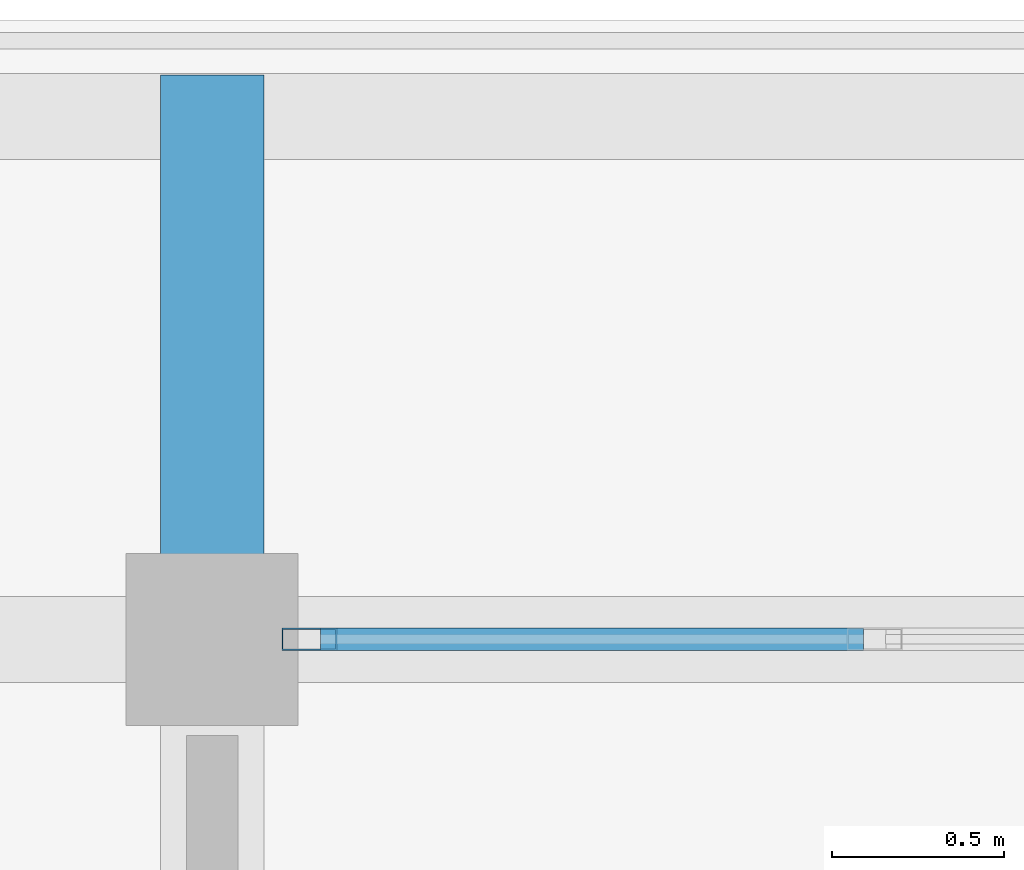
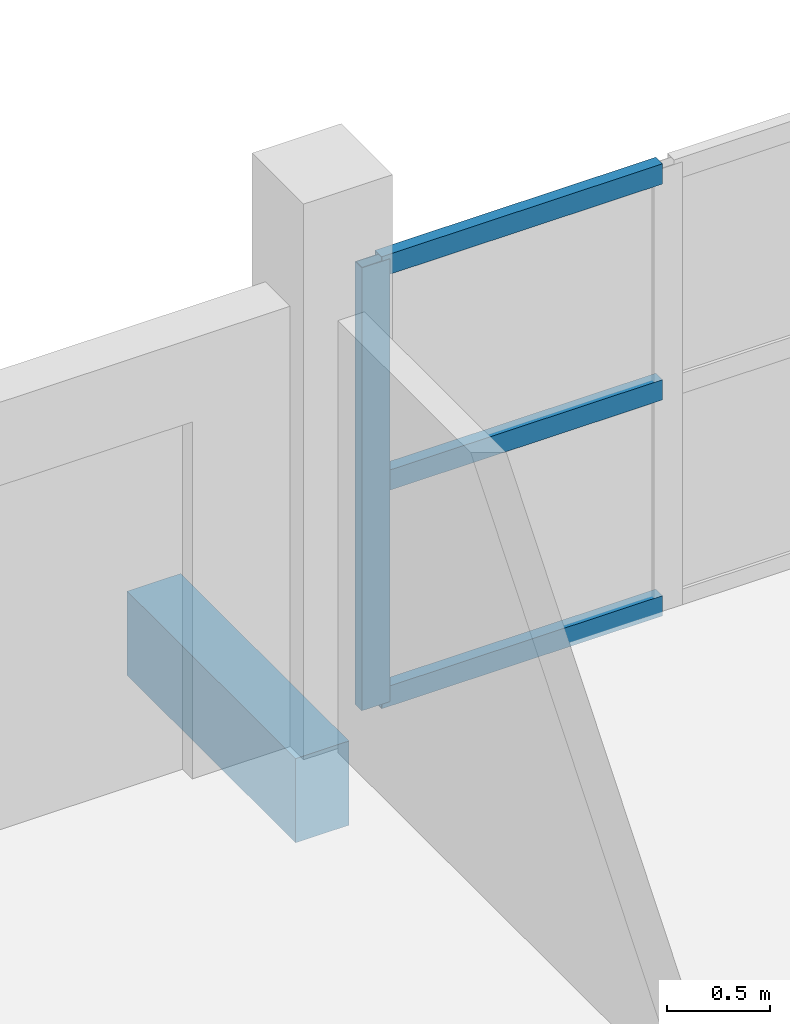
# One storey, part 5 of 19: 4 members, 1 beam, 1 element without a shape of its own.
"""IFC4 building model written with IfcOpenShell, lengths in metres."""

from ifc_helpers import new_model, si_unit, direction, frame, origin, origin_2d, place, context, subcontext, project, spatial, rectangle, hollow_rectangle, extrude, material, material_profile, profile_set, type_object, element, aggregate, save


model = new_model("IFC4")

# Units and contexts
model_context = context("Model", 3, precision=1e-05, world=origin(), true_north=direction((0.0, 1.0)))
body_context = subcontext(model_context, "Body", "Model", "MODEL_VIEW")
ifc_project = project(units=[si_unit("LENGTHUNIT", "METRE"), si_unit("AREAUNIT", "SQUARE_METRE"), si_unit("VOLUMEUNIT", "CUBIC_METRE"), si_unit("PLANEANGLEUNIT", "RADIAN"), si_unit("MASSUNIT", "GRAM", prefix="KILO")], contexts=[model_context])

# Site, building, storey
site_placement = place(None, origin())
site = spatial("IfcSite", under=ifc_project, at=site_placement, CompositionType="ELEMENT")
building_placement = place(site_placement, origin())
building = spatial("IfcBuilding", under=site, at=building_placement, Name="Suanplinth Sawtooth Commons", CompositionType="ELEMENT")
storey_placement = place(building_placement, frame((0.0, 0.0, 44.39990234375)))
storey = spatial("IfcBuildingStorey", under=building, at=storey_placement, Name="L13", CompositionType="ELEMENT", Elevation=44.39990234375)

# Beam
ifc_material_1 = material(Name="Precast concrete C40/50", Category="concrete")
ifc_material_profile_1 = material_profile(ifc_material_1, rectangle(XDim=0.300048828125, YDim=0.5, at=origin_2d()), Name="PC-BM 300x500")
ifc_profile_set_1 = profile_set([ifc_material_profile_1], Name="Precast concrete C40/50")
beam_type = type_object("IfcBeamType", Name="B-07", PredefinedType="BEAM", material=ifc_profile_set_1)
beam_placement = place(storey_placement, frame((43.199951171875, 122.39990234375, -0.429931640625), z_axis=(0.0, 1.0, 0.0), x_axis=(-1.0, 0.0, 0.0)))
element("IfcBeam", 1, at=beam_placement, inside=storey, type_object=beam_type, Name="Balcony Outrigger L13-A-N-6", PredefinedType="BEAM", context=body_context, shape_type="SweptSolid", body=[
    extrude(rectangle(XDim=0.300048828125, YDim=0.5, at=origin_2d()), origin(), (0.0, 0.0, 1.0), 1.64013671875),
])

# Curtain wall, members
ifc_material_2 = material(Name="Anodized aluminium and low-E glazing", Category="aluminium")
curtain_wall_type = type_object("IfcCurtainWallType", Name="CW-06", PredefinedType="USERDEFINED", material=ifc_material_2)
curtain_wall_placement = place(storey_placement, origin())
curtain_wall = element("IfcCurtainWall", 2, at=curtain_wall_placement, inside=storey, type_object=curtain_wall_type, Name="Curtain Wall CW-L13-A-LOUNGE-2", ObjectType="CURTAIN WALL", PredefinedType="USERDEFINED")
ifc_material_3 = material(Name="Anodized aluminium 6063-T6", Category="aluminium")
ifc_material_profile_2 = material_profile(ifc_material_3, hollow_rectangle(XDim=0.06494140625, YDim=0.159912109375, WallThickness=0.00390625, at=origin_2d()), Name="ALU-MUL 65x160")
ifc_profile_set_2 = profile_set([ifc_material_profile_2], Name="Anodized aluminium 6063-T6")
member_type_1 = type_object("IfcMemberType", Name="M-13", PredefinedType="MULLION", material=ifc_profile_set_2)
member_1_placement = place(storey_placement, frame((43.482421875, 122.39990234375, 0.0), z_axis=(0.0, 0.0, 1.0), x_axis=(0.0, 1.0, 0.0)))
member_1 = element("IfcMember", 3, at=member_1_placement, type_object=member_type_1, Name="CW-06 mullion 1", PredefinedType="MULLION", context=body_context, shape_type="SweptSolid", body=[
    extrude(hollow_rectangle(XDim=0.06494140625, YDim=0.159912109375, WallThickness=0.00390625, at=origin_2d()), origin(), (0.0, 0.0, 1.0), 2.630126953125),
])
ifc_material_profile_3 = material_profile(ifc_material_3, hollow_rectangle(XDim=0.06494140625, YDim=0.1201171875, WallThickness=0.00390625, at=origin_2d()), Name="ALU-TRN 65x120")
ifc_profile_set_3 = profile_set([ifc_material_profile_3], Name="Anodized aluminium 6063-T6")
member_type_2 = type_object("IfcMemberType", Name="M-15", PredefinedType="USERDEFINED", material=ifc_profile_set_3)
member_2_placement = place(storey_placement, frame((43.514892578125, 122.39990234375, 0.03271484375), z_axis=(1.0, 0.0, 0.0), x_axis=(0.0, 1.0, 0.0)))
member_2 = element("IfcMember", 4, at=member_2_placement, type_object=member_type_2, Name="CW-06 transom 1.1", ObjectType="TRANSOM", PredefinedType="USERDEFINED", context=body_context, shape_type="SweptSolid", body=[
    extrude(hollow_rectangle(XDim=0.06494140625, YDim=0.1201171875, WallThickness=0.00390625, at=origin_2d()), origin(), (0.0, 0.0, 1.0), 1.57763671875),
])
member_3_placement = place(storey_placement, frame((43.514892578125, 122.39990234375, 1.315185546875), z_axis=(1.0, 0.0, 0.0), x_axis=(0.0, 1.0, 0.0)))
member_3 = element("IfcMember", 5, at=member_3_placement, type_object=member_type_2, Name="CW-06 transom 1.2", ObjectType="TRANSOM", PredefinedType="USERDEFINED", context=body_context, shape_type="SweptSolid", body=[
    extrude(hollow_rectangle(XDim=0.06494140625, YDim=0.1201171875, WallThickness=0.00390625, at=origin_2d()), origin(), (0.0, 0.0, 1.0), 1.57763671875),
])
member_4_placement = place(storey_placement, frame((43.514892578125, 122.39990234375, 2.59765625), z_axis=(1.0, 0.0, 0.0), x_axis=(0.0, 1.0, 0.0)))
member_4 = element("IfcMember", 6, at=member_4_placement, type_object=member_type_2, Name="CW-06 transom 1.3", ObjectType="TRANSOM", PredefinedType="USERDEFINED", context=body_context, shape_type="SweptSolid", body=[
    extrude(hollow_rectangle(XDim=0.06494140625, YDim=0.1201171875, WallThickness=0.00390625, at=origin_2d()), origin(), (0.0, 0.0, 1.0), 1.57763671875),
])
aggregate(curtain_wall, [member_1, member_2, member_3, member_4])

save(model, "model.ifc")
